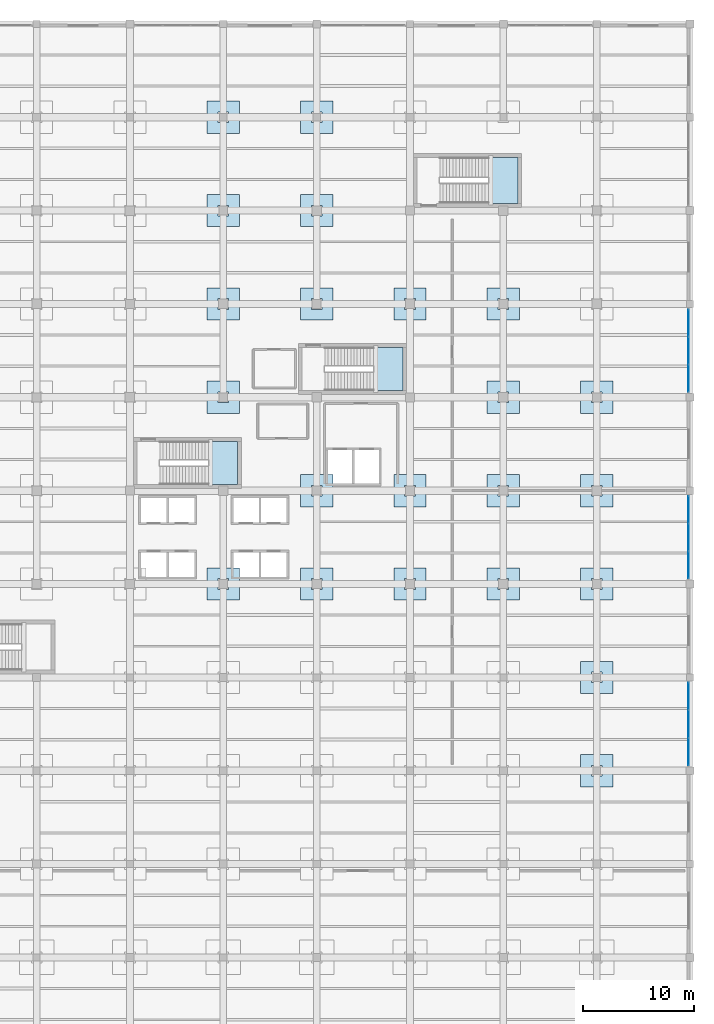
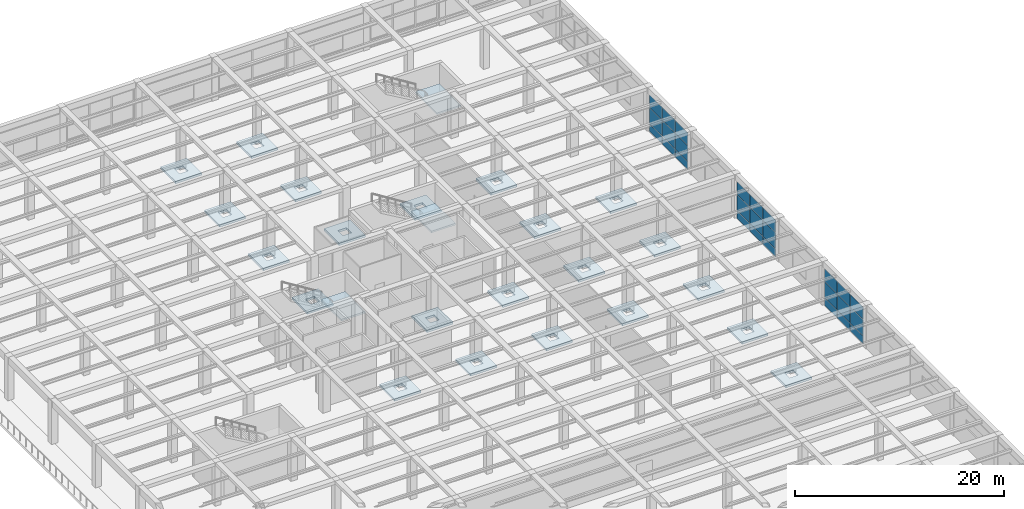
# One storey, part 75 of 95: 27 plates, 25 slabs, 6 elements without a shape of their own.
"""IFC4 building model written with IfcOpenShell, lengths in metres."""

from ifc_helpers import new_model, si_unit, direction, frame, origin, origin_2d, place, context, subcontext, project, spatial, polyline, rectangle, outline, extrude, material, layer, layer_set, type_object, element, aggregate, save


model = new_model("IFC4")

# Units and contexts
model_context = context("Model", 3, precision=1e-05, world=origin(), true_north=direction((0.0, 1.0)))
body_context = subcontext(model_context, "Body", "Model", "MODEL_VIEW")
ifc_project = project(units=[si_unit("LENGTHUNIT", "METRE"), si_unit("AREAUNIT", "SQUARE_METRE"), si_unit("VOLUMEUNIT", "CUBIC_METRE"), si_unit("PLANEANGLEUNIT", "RADIAN"), si_unit("MASSUNIT", "GRAM", prefix="KILO")], contexts=[model_context])

# Site, building, storey
site_placement = place(None, origin())
site = spatial("IfcSite", under=ifc_project, at=site_placement, CompositionType="ELEMENT")
building_placement = place(site_placement, origin())
building = spatial("IfcBuilding", under=site, at=building_placement, Name="Almacenes y Pasaje Nevantli", CompositionType="ELEMENT")
storey_placement = place(building_placement, frame((0.0, 0.0, 11.39990234375)))
storey = spatial("IfcBuildingStorey", under=building, at=storey_placement, Name="L03", CompositionType="ELEMENT", Elevation=11.39990234375)

# Curtain wall, plates
ifc_material_1 = material(Name="Thermally Broken Aluminium and Low-E Glass", Category="aluminium")
curtain_wall_type = type_object("IfcCurtainWallType", Name="CW-UNIT-PODIUM", PredefinedType="USERDEFINED", material=ifc_material_1)
curtain_wall_1_placement = place(storey_placement, origin())
curtain_wall_1 = element("IfcCurtainWall", 1, at=curtain_wall_1_placement, inside=storey, type_object=curtain_wall_type, Name="L03 East Office Wing Curtain Wall Bay 7", ObjectType="UNITIZED CURTAIN WALL", PredefinedType="USERDEFINED")
ifc_material_2 = material(Name="Low-E Double Glazed Insulated Unit", Category="glass")
ifc_layer_1 = layer(ifc_material_2, 0.031982421875)
ifc_layer_set_1 = layer_set([ifc_layer_1], Name="Low-E Double Glazed Insulated Unit")
plate_type = type_object("IfcPlateType", Name="PL-IGU-32", PredefinedType="CURTAIN_PANEL", material=ifc_layer_set_1)
plate_1_placement = place(storey_placement, frame((167.85009765625, 52.11376953125, 0.05517578125), z_axis=(0.0, 0.0, 1.0), x_axis=(0.0, 1.0, 0.0)))
plate_1 = element("IfcPlate", 2, at=plate_1_placement, type_object=plate_type, Name="CW-L03-054 panel 1.1", PredefinedType="CURTAIN_PANEL", context=body_context, shape_type="SweptSolid", body=[
    extrude(rectangle(XDim=2.41748046875, YDim=0.031982421875, at=origin_2d()), origin(), (0.0, 0.0, 1.0), 0.867431640625),
])
plate_2_placement = place(storey_placement, frame((167.85009765625, 52.11376953125, 0.9775390625), z_axis=(0.0, 0.0, 1.0), x_axis=(0.0, 1.0, 0.0)))
plate_2 = element("IfcPlate", 3, at=plate_2_placement, type_object=plate_type, Name="CW-L03-054 panel 1.2", PredefinedType="CURTAIN_PANEL", context=body_context, shape_type="SweptSolid", body=[
    extrude(rectangle(XDim=2.41748046875, YDim=0.031982421875, at=origin_2d()), origin(), (0.0, 0.0, 1.0), 1.844970703125),
])
plate_3_placement = place(storey_placement, frame((167.85009765625, 52.11376953125, 2.87744140625), z_axis=(0.0, 0.0, 1.0), x_axis=(0.0, 1.0, 0.0)))
plate_3 = element("IfcPlate", 4, at=plate_3_placement, type_object=plate_type, Name="CW-L03-054 panel 1.3", PredefinedType="CURTAIN_PANEL", context=body_context, shape_type="SweptSolid", body=[
    extrude(rectangle(XDim=2.41748046875, YDim=0.031982421875, at=origin_2d()), origin(), (0.0, 0.0, 1.0), 1.447509765625),
])
plate_4_placement = place(storey_placement, frame((167.85009765625, 54.60009765625, 0.05517578125), z_axis=(0.0, 0.0, 1.0), x_axis=(0.0, 1.0, 0.0)))
plate_4 = element("IfcPlate", 5, at=plate_4_placement, type_object=plate_type, Name="CW-L03-054 panel 2.1", PredefinedType="CURTAIN_PANEL", context=body_context, shape_type="SweptSolid", body=[
    extrude(rectangle(XDim=2.445068359375, YDim=0.031982421875, at=origin_2d()), origin(), (0.0, 0.0, 1.0), 0.867431640625),
])
plate_5_placement = place(storey_placement, frame((167.85009765625, 54.60009765625, 0.9775390625), z_axis=(0.0, 0.0, 1.0), x_axis=(0.0, 1.0, 0.0)))
plate_5 = element("IfcPlate", 6, at=plate_5_placement, type_object=plate_type, Name="CW-L03-054 panel 2.2", PredefinedType="CURTAIN_PANEL", context=body_context, shape_type="SweptSolid", body=[
    extrude(rectangle(XDim=2.445068359375, YDim=0.031982421875, at=origin_2d()), origin(), (0.0, 0.0, 1.0), 1.844970703125),
])
plate_6_placement = place(storey_placement, frame((167.85009765625, 54.60009765625, 2.87744140625), z_axis=(0.0, 0.0, 1.0), x_axis=(0.0, 1.0, 0.0)))
plate_6 = element("IfcPlate", 7, at=plate_6_placement, type_object=plate_type, Name="CW-L03-054 panel 2.3", PredefinedType="CURTAIN_PANEL", context=body_context, shape_type="SweptSolid", body=[
    extrude(rectangle(XDim=2.445068359375, YDim=0.031982421875, at=origin_2d()), origin(), (0.0, 0.0, 1.0), 1.447509765625),
])
plate_7_placement = place(storey_placement, frame((167.85009765625, 57.086181640625, 0.05517578125), z_axis=(0.0, 0.0, 1.0), x_axis=(0.0, 1.0, 0.0)))
plate_7 = element("IfcPlate", 8, at=plate_7_placement, type_object=plate_type, Name="CW-L03-054 panel 3.1", PredefinedType="CURTAIN_PANEL", context=body_context, shape_type="SweptSolid", body=[
    extrude(rectangle(XDim=2.41748046875, YDim=0.031982421875, at=origin_2d()), origin(), (0.0, 0.0, 1.0), 0.867431640625),
])
plate_8_placement = place(storey_placement, frame((167.85009765625, 57.086181640625, 0.9775390625), z_axis=(0.0, 0.0, 1.0), x_axis=(0.0, 1.0, 0.0)))
plate_8 = element("IfcPlate", 9, at=plate_8_placement, type_object=plate_type, Name="CW-L03-054 panel 3.2", PredefinedType="CURTAIN_PANEL", context=body_context, shape_type="SweptSolid", body=[
    extrude(rectangle(XDim=2.41748046875, YDim=0.031982421875, at=origin_2d()), origin(), (0.0, 0.0, 1.0), 1.844970703125),
])
plate_9_placement = place(storey_placement, frame((167.85009765625, 57.086181640625, 2.87744140625), z_axis=(0.0, 0.0, 1.0), x_axis=(0.0, 1.0, 0.0)))
plate_9 = element("IfcPlate", 10, at=plate_9_placement, type_object=plate_type, Name="CW-L03-054 panel 3.3", PredefinedType="CURTAIN_PANEL", context=body_context, shape_type="SweptSolid", body=[
    extrude(rectangle(XDim=2.41748046875, YDim=0.031982421875, at=origin_2d()), origin(), (0.0, 0.0, 1.0), 1.447509765625),
])
aggregate(curtain_wall_1, [plate_1, plate_2, plate_3, plate_4, plate_5, plate_6, plate_7, plate_8, plate_9])

curtain_wall_2_placement = place(storey_placement, origin())
curtain_wall_2 = element("IfcCurtainWall", 11, at=curtain_wall_2_placement, inside=storey, type_object=curtain_wall_type, Name="L03 East Office Wing Curtain Wall Bay 9", ObjectType="UNITIZED CURTAIN WALL", PredefinedType="USERDEFINED")
plate_10_placement = place(storey_placement, frame((167.85009765625, 68.913818359375, 0.05517578125), z_axis=(0.0, 0.0, 1.0), x_axis=(0.0, 1.0, 0.0)))
plate_10 = element("IfcPlate", 12, at=plate_10_placement, type_object=plate_type, Name="CW-L03-055 panel 1.1", PredefinedType="CURTAIN_PANEL", context=body_context, shape_type="SweptSolid", body=[
    extrude(rectangle(XDim=2.41748046875, YDim=0.031982421875, at=origin_2d()), origin(), (0.0, 0.0, 1.0), 0.867431640625),
])
plate_11_placement = place(storey_placement, frame((167.85009765625, 68.913818359375, 0.9775390625), z_axis=(0.0, 0.0, 1.0), x_axis=(0.0, 1.0, 0.0)))
plate_11 = element("IfcPlate", 13, at=plate_11_placement, type_object=plate_type, Name="CW-L03-055 panel 1.2", PredefinedType="CURTAIN_PANEL", context=body_context, shape_type="SweptSolid", body=[
    extrude(rectangle(XDim=2.41748046875, YDim=0.031982421875, at=origin_2d()), origin(), (0.0, 0.0, 1.0), 1.844970703125),
])
plate_12_placement = place(storey_placement, frame((167.85009765625, 68.913818359375, 2.87744140625), z_axis=(0.0, 0.0, 1.0), x_axis=(0.0, 1.0, 0.0)))
plate_12 = element("IfcPlate", 14, at=plate_12_placement, type_object=plate_type, Name="CW-L03-055 panel 1.3", PredefinedType="CURTAIN_PANEL", context=body_context, shape_type="SweptSolid", body=[
    extrude(rectangle(XDim=2.41748046875, YDim=0.031982421875, at=origin_2d()), origin(), (0.0, 0.0, 1.0), 1.447509765625),
])
plate_13_placement = place(storey_placement, frame((167.85009765625, 71.39990234375, 0.05517578125), z_axis=(0.0, 0.0, 1.0), x_axis=(0.0, 1.0, 0.0)))
plate_13 = element("IfcPlate", 15, at=plate_13_placement, type_object=plate_type, Name="CW-L03-055 panel 2.1", PredefinedType="CURTAIN_PANEL", context=body_context, shape_type="SweptSolid", body=[
    extrude(rectangle(XDim=2.445068359375, YDim=0.031982421875, at=origin_2d()), origin(), (0.0, 0.0, 1.0), 0.867431640625),
])
plate_14_placement = place(storey_placement, frame((167.85009765625, 71.39990234375, 0.9775390625), z_axis=(0.0, 0.0, 1.0), x_axis=(0.0, 1.0, 0.0)))
plate_14 = element("IfcPlate", 16, at=plate_14_placement, type_object=plate_type, Name="CW-L03-055 panel 2.2", PredefinedType="CURTAIN_PANEL", context=body_context, shape_type="SweptSolid", body=[
    extrude(rectangle(XDim=2.445068359375, YDim=0.031982421875, at=origin_2d()), origin(), (0.0, 0.0, 1.0), 1.844970703125),
])
plate_15_placement = place(storey_placement, frame((167.85009765625, 71.39990234375, 2.87744140625), z_axis=(0.0, 0.0, 1.0), x_axis=(0.0, 1.0, 0.0)))
plate_15 = element("IfcPlate", 17, at=plate_15_placement, type_object=plate_type, Name="CW-L03-055 panel 2.3", PredefinedType="CURTAIN_PANEL", context=body_context, shape_type="SweptSolid", body=[
    extrude(rectangle(XDim=2.445068359375, YDim=0.031982421875, at=origin_2d()), origin(), (0.0, 0.0, 1.0), 1.447509765625),
])
plate_16_placement = place(storey_placement, frame((167.85009765625, 73.88623046875, 0.05517578125), z_axis=(0.0, 0.0, 1.0), x_axis=(0.0, 1.0, 0.0)))
plate_16 = element("IfcPlate", 18, at=plate_16_placement, type_object=plate_type, Name="CW-L03-055 panel 3.1", PredefinedType="CURTAIN_PANEL", context=body_context, shape_type="SweptSolid", body=[
    extrude(rectangle(XDim=2.41748046875, YDim=0.031982421875, at=origin_2d()), origin(), (0.0, 0.0, 1.0), 0.867431640625),
])
plate_17_placement = place(storey_placement, frame((167.85009765625, 73.88623046875, 0.9775390625), z_axis=(0.0, 0.0, 1.0), x_axis=(0.0, 1.0, 0.0)))
plate_17 = element("IfcPlate", 19, at=plate_17_placement, type_object=plate_type, Name="CW-L03-055 panel 3.2", PredefinedType="CURTAIN_PANEL", context=body_context, shape_type="SweptSolid", body=[
    extrude(rectangle(XDim=2.41748046875, YDim=0.031982421875, at=origin_2d()), origin(), (0.0, 0.0, 1.0), 1.844970703125),
])
plate_18_placement = place(storey_placement, frame((167.85009765625, 73.88623046875, 2.87744140625), z_axis=(0.0, 0.0, 1.0), x_axis=(0.0, 1.0, 0.0)))
plate_18 = element("IfcPlate", 20, at=plate_18_placement, type_object=plate_type, Name="CW-L03-055 panel 3.3", PredefinedType="CURTAIN_PANEL", context=body_context, shape_type="SweptSolid", body=[
    extrude(rectangle(XDim=2.41748046875, YDim=0.031982421875, at=origin_2d()), origin(), (0.0, 0.0, 1.0), 1.447509765625),
])
aggregate(curtain_wall_2, [plate_10, plate_11, plate_12, plate_13, plate_14, plate_15, plate_16, plate_17, plate_18])

curtain_wall_3_placement = place(storey_placement, origin())
curtain_wall_3 = element("IfcCurtainWall", 21, at=curtain_wall_3_placement, inside=storey, type_object=curtain_wall_type, Name="L03 East Office Wing Curtain Wall Bay 11", ObjectType="UNITIZED CURTAIN WALL", PredefinedType="USERDEFINED")
plate_19_placement = place(storey_placement, frame((167.85009765625, 85.7138671875, 0.05517578125), z_axis=(0.0, 0.0, 1.0), x_axis=(0.0, 1.0, 0.0)))
plate_19 = element("IfcPlate", 22, at=plate_19_placement, type_object=plate_type, Name="CW-L03-056 panel 1.1", PredefinedType="CURTAIN_PANEL", context=body_context, shape_type="SweptSolid", body=[
    extrude(rectangle(XDim=2.41748046875, YDim=0.031982421875, at=origin_2d()), origin(), (0.0, 0.0, 1.0), 0.867431640625),
])
plate_20_placement = place(storey_placement, frame((167.85009765625, 85.7138671875, 0.9775390625), z_axis=(0.0, 0.0, 1.0), x_axis=(0.0, 1.0, 0.0)))
plate_20 = element("IfcPlate", 23, at=plate_20_placement, type_object=plate_type, Name="CW-L03-056 panel 1.2", PredefinedType="CURTAIN_PANEL", context=body_context, shape_type="SweptSolid", body=[
    extrude(rectangle(XDim=2.41748046875, YDim=0.031982421875, at=origin_2d()), origin(), (0.0, 0.0, 1.0), 1.844970703125),
])
plate_21_placement = place(storey_placement, frame((167.85009765625, 85.7138671875, 2.87744140625), z_axis=(0.0, 0.0, 1.0), x_axis=(0.0, 1.0, 0.0)))
plate_21 = element("IfcPlate", 24, at=plate_21_placement, type_object=plate_type, Name="CW-L03-056 panel 1.3", PredefinedType="CURTAIN_PANEL", context=body_context, shape_type="SweptSolid", body=[
    extrude(rectangle(XDim=2.41748046875, YDim=0.031982421875, at=origin_2d()), origin(), (0.0, 0.0, 1.0), 1.447509765625),
])
plate_22_placement = place(storey_placement, frame((167.85009765625, 88.199951171875, 0.05517578125), z_axis=(0.0, 0.0, 1.0), x_axis=(0.0, 1.0, 0.0)))
plate_22 = element("IfcPlate", 25, at=plate_22_placement, type_object=plate_type, Name="CW-L03-056 panel 2.1", PredefinedType="CURTAIN_PANEL", context=body_context, shape_type="SweptSolid", body=[
    extrude(rectangle(XDim=2.445068359375, YDim=0.031982421875, at=origin_2d()), origin(), (0.0, 0.0, 1.0), 0.867431640625),
])
plate_23_placement = place(storey_placement, frame((167.85009765625, 88.199951171875, 0.9775390625), z_axis=(0.0, 0.0, 1.0), x_axis=(0.0, 1.0, 0.0)))
plate_23 = element("IfcPlate", 26, at=plate_23_placement, type_object=plate_type, Name="CW-L03-056 panel 2.2", PredefinedType="CURTAIN_PANEL", context=body_context, shape_type="SweptSolid", body=[
    extrude(rectangle(XDim=2.445068359375, YDim=0.031982421875, at=origin_2d()), origin(), (0.0, 0.0, 1.0), 1.844970703125),
])
plate_24_placement = place(storey_placement, frame((167.85009765625, 88.199951171875, 2.87744140625), z_axis=(0.0, 0.0, 1.0), x_axis=(0.0, 1.0, 0.0)))
plate_24 = element("IfcPlate", 27, at=plate_24_placement, type_object=plate_type, Name="CW-L03-056 panel 2.3", PredefinedType="CURTAIN_PANEL", context=body_context, shape_type="SweptSolid", body=[
    extrude(rectangle(XDim=2.445068359375, YDim=0.031982421875, at=origin_2d()), origin(), (0.0, 0.0, 1.0), 1.447509765625),
])
plate_25_placement = place(storey_placement, frame((167.85009765625, 90.686279296875, 0.05517578125), z_axis=(0.0, 0.0, 1.0), x_axis=(0.0, 1.0, 0.0)))
plate_25 = element("IfcPlate", 28, at=plate_25_placement, type_object=plate_type, Name="CW-L03-056 panel 3.1", PredefinedType="CURTAIN_PANEL", context=body_context, shape_type="SweptSolid", body=[
    extrude(rectangle(XDim=2.41748046875, YDim=0.031982421875, at=origin_2d()), origin(), (0.0, 0.0, 1.0), 0.867431640625),
])
plate_26_placement = place(storey_placement, frame((167.85009765625, 90.686279296875, 0.9775390625), z_axis=(0.0, 0.0, 1.0), x_axis=(0.0, 1.0, 0.0)))
plate_26 = element("IfcPlate", 29, at=plate_26_placement, type_object=plate_type, Name="CW-L03-056 panel 3.2", PredefinedType="CURTAIN_PANEL", context=body_context, shape_type="SweptSolid", body=[
    extrude(rectangle(XDim=2.41748046875, YDim=0.031982421875, at=origin_2d()), origin(), (0.0, 0.0, 1.0), 1.844970703125),
])
plate_27_placement = place(storey_placement, frame((167.85009765625, 90.686279296875, 2.87744140625), z_axis=(0.0, 0.0, 1.0), x_axis=(0.0, 1.0, 0.0)))
plate_27 = element("IfcPlate", 30, at=plate_27_placement, type_object=plate_type, Name="CW-L03-056 panel 3.3", PredefinedType="CURTAIN_PANEL", context=body_context, shape_type="SweptSolid", body=[
    extrude(rectangle(XDim=2.41748046875, YDim=0.031982421875, at=origin_2d()), origin(), (0.0, 0.0, 1.0), 1.447509765625),
])
aggregate(curtain_wall_3, [plate_19, plate_20, plate_21, plate_22, plate_23, plate_24, plate_25, plate_26, plate_27])

# Slabs
ifc_material_3 = material(Name="Concrete C35/45", Category="concrete")
ifc_layer_2 = layer(ifc_material_3, 0.25)
ifc_layer_set_2 = layer_set([ifc_layer_2], Name="Concrete C35/45")
slab_type_1 = type_object("IfcSlabType", Name="SLB-DP-250", PredefinedType="USERDEFINED", material=ifc_layer_set_2)
slab_1_placement = place(storey_placement, frame((0.0, 0.0, -0.5498046875)))
element("IfcSlab", 31, at=slab_1_placement, inside=storey, type_object=slab_type_1, Name="L03 Punching-Shear Drop Panel DP-02 #708", ObjectType="DROP PANEL", PredefinedType="USERDEFINED", context=body_context, shape_type="SweptSolid", body=[
    extrude(outline(polyline([(124.550048828125, 65.75), (127.449951171875, 65.75), (127.449951171875, 68.64990234375), (124.550048828125, 68.64990234375), (124.550048828125, 65.75)]), holes=[polyline([(125.52001953125, 66.719970703125), (126.47998046875, 66.719970703125), (126.47998046875, 67.679931640625), (125.52001953125, 67.679931640625), (125.52001953125, 66.719970703125)])]), origin(), (0.0, 0.0, 1.0), 0.25),
])
slab_2_placement = place(storey_placement, frame((0.0, 0.0, -0.5498046875)))
element("IfcSlab", 32, at=slab_2_placement, inside=storey, type_object=slab_type_1, Name="L03 Punching-Shear Drop Panel DP-02 #709", ObjectType="DROP PANEL", PredefinedType="USERDEFINED", context=body_context, shape_type="SweptSolid", body=[
    extrude(outline(polyline([(124.550048828125, 82.550048828125), (127.449951171875, 82.550048828125), (127.449951171875, 85.449951171875), (124.550048828125, 85.449951171875), (124.550048828125, 82.550048828125)]), holes=[polyline([(125.52001953125, 83.52001953125), (126.47998046875, 83.52001953125), (126.47998046875, 84.47998046875), (125.52001953125, 84.47998046875), (125.52001953125, 83.52001953125)])]), origin(), (0.0, 0.0, 1.0), 0.25),
])
slab_3_placement = place(storey_placement, frame((0.0, 0.0, -0.5498046875)))
element("IfcSlab", 33, at=slab_3_placement, inside=storey, type_object=slab_type_1, Name="L03 Punching-Shear Drop Panel DP-02 #710", ObjectType="DROP PANEL", PredefinedType="USERDEFINED", context=body_context, shape_type="SweptSolid", body=[
    extrude(outline(polyline([(124.550048828125, 90.949951171875), (127.449951171875, 90.949951171875), (127.449951171875, 93.85009765625), (124.550048828125, 93.85009765625), (124.550048828125, 90.949951171875)]), holes=[polyline([(125.52001953125, 91.919921875), (126.47998046875, 91.919921875), (126.47998046875, 92.8798828125), (125.52001953125, 92.8798828125), (125.52001953125, 91.919921875)])]), origin(), (0.0, 0.0, 1.0), 0.25),
])
slab_4_placement = place(storey_placement, frame((0.0, 0.0, -0.5498046875)))
element("IfcSlab", 34, at=slab_4_placement, inside=storey, type_object=slab_type_1, Name="L03 Punching-Shear Drop Panel DP-02 #711", ObjectType="DROP PANEL", PredefinedType="USERDEFINED", context=body_context, shape_type="SweptSolid", body=[
    extrude(outline(polyline([(124.550048828125, 99.35009765625), (127.449951171875, 99.35009765625), (127.449951171875, 102.25), (124.550048828125, 102.25), (124.550048828125, 99.35009765625)]), holes=[polyline([(125.52001953125, 100.320068359375), (126.47998046875, 100.320068359375), (126.47998046875, 101.280029296875), (125.52001953125, 101.280029296875), (125.52001953125, 100.320068359375)])]), origin(), (0.0, 0.0, 1.0), 0.25),
])
slab_5_placement = place(storey_placement, frame((0.0, 0.0, -0.5498046875)))
element("IfcSlab", 35, at=slab_5_placement, inside=storey, type_object=slab_type_1, Name="L03 Punching-Shear Drop Panel DP-02 #712", ObjectType="DROP PANEL", PredefinedType="USERDEFINED", context=body_context, shape_type="SweptSolid", body=[
    extrude(outline(polyline([(124.550048828125, 107.75), (127.449951171875, 107.75), (127.449951171875, 110.64990234375), (124.550048828125, 110.64990234375), (124.550048828125, 107.75)]), holes=[polyline([(125.52001953125, 108.719970703125), (126.47998046875, 108.719970703125), (126.47998046875, 109.679931640625), (125.52001953125, 109.679931640625), (125.52001953125, 108.719970703125)])]), origin(), (0.0, 0.0, 1.0), 0.25),
])
slab_6_placement = place(storey_placement, frame((0.0, 0.0, -0.5498046875)))
element("IfcSlab", 36, at=slab_6_placement, inside=storey, type_object=slab_type_1, Name="L03 Punching-Shear Drop Panel DP-02 #717", ObjectType="DROP PANEL", PredefinedType="USERDEFINED", context=body_context, shape_type="SweptSolid", body=[
    extrude(outline(polyline([(132.949951171875, 65.75), (135.85009765625, 65.75), (135.85009765625, 68.64990234375), (132.949951171875, 68.64990234375), (132.949951171875, 65.75)]), holes=[polyline([(133.919921875, 66.719970703125), (134.8798828125, 66.719970703125), (134.8798828125, 67.679931640625), (133.919921875, 67.679931640625), (133.919921875, 66.719970703125)])]), origin(), (0.0, 0.0, 1.0), 0.25),
])
slab_7_placement = place(storey_placement, frame((0.0, 0.0, -0.5498046875)))
element("IfcSlab", 37, at=slab_7_placement, inside=storey, type_object=slab_type_1, Name="L03 Punching-Shear Drop Panel DP-02 #718", ObjectType="DROP PANEL", PredefinedType="USERDEFINED", context=body_context, shape_type="SweptSolid", body=[
    extrude(outline(polyline([(132.949951171875, 74.14990234375), (135.85009765625, 74.14990234375), (135.85009765625, 77.050048828125), (132.949951171875, 77.050048828125), (132.949951171875, 74.14990234375)]), holes=[polyline([(133.919921875, 75.1201171875), (134.8798828125, 75.1201171875), (134.8798828125, 76.080078125), (133.919921875, 76.080078125), (133.919921875, 75.1201171875)])]), origin(), (0.0, 0.0, 1.0), 0.25),
])
slab_8_placement = place(storey_placement, frame((0.0, 0.0, -0.5498046875)))
element("IfcSlab", 38, at=slab_8_placement, inside=storey, type_object=slab_type_1, Name="L03 Punching-Shear Drop Panel DP-02 #719", ObjectType="DROP PANEL", PredefinedType="USERDEFINED", context=body_context, shape_type="SweptSolid", body=[
    extrude(outline(polyline([(132.949951171875, 90.949951171875), (135.85009765625, 90.949951171875), (135.85009765625, 93.85009765625), (132.949951171875, 93.85009765625), (132.949951171875, 90.949951171875)]), holes=[polyline([(133.919921875, 91.919921875), (134.8798828125, 91.919921875), (134.8798828125, 92.8798828125), (133.919921875, 92.8798828125), (133.919921875, 91.919921875)])]), origin(), (0.0, 0.0, 1.0), 0.25),
])
slab_9_placement = place(storey_placement, frame((0.0, 0.0, -0.5498046875)))
element("IfcSlab", 39, at=slab_9_placement, inside=storey, type_object=slab_type_1, Name="L03 Punching-Shear Drop Panel DP-02 #720", ObjectType="DROP PANEL", PredefinedType="USERDEFINED", context=body_context, shape_type="SweptSolid", body=[
    extrude(outline(polyline([(132.949951171875, 99.35009765625), (135.85009765625, 99.35009765625), (135.85009765625, 102.25), (132.949951171875, 102.25), (132.949951171875, 99.35009765625)]), holes=[polyline([(133.919921875, 100.320068359375), (134.8798828125, 100.320068359375), (134.8798828125, 101.280029296875), (133.919921875, 101.280029296875), (133.919921875, 100.320068359375)])]), origin(), (0.0, 0.0, 1.0), 0.25),
])
slab_10_placement = place(storey_placement, frame((0.0, 0.0, -0.5498046875)))
element("IfcSlab", 40, at=slab_10_placement, inside=storey, type_object=slab_type_1, Name="L03 Punching-Shear Drop Panel DP-02 #721", ObjectType="DROP PANEL", PredefinedType="USERDEFINED", context=body_context, shape_type="SweptSolid", body=[
    extrude(outline(polyline([(132.949951171875, 107.75), (135.85009765625, 107.75), (135.85009765625, 110.64990234375), (132.949951171875, 110.64990234375), (132.949951171875, 107.75)]), holes=[polyline([(133.919921875, 108.719970703125), (134.8798828125, 108.719970703125), (134.8798828125, 109.679931640625), (133.919921875, 109.679931640625), (133.919921875, 108.719970703125)])]), origin(), (0.0, 0.0, 1.0), 0.25),
])
slab_11_placement = place(storey_placement, frame((0.0, 0.0, -0.5498046875)))
element("IfcSlab", 41, at=slab_11_placement, inside=storey, type_object=slab_type_1, Name="L03 Punching-Shear Drop Panel DP-02 #726", ObjectType="DROP PANEL", PredefinedType="USERDEFINED", context=body_context, shape_type="SweptSolid", body=[
    extrude(outline(polyline([(141.35009765625, 65.75), (144.25, 65.75), (144.25, 68.64990234375), (141.35009765625, 68.64990234375), (141.35009765625, 65.75)]), holes=[polyline([(142.320068359375, 66.719970703125), (143.280029296875, 66.719970703125), (143.280029296875, 67.679931640625), (142.320068359375, 67.679931640625), (142.320068359375, 66.719970703125)])]), origin(), (0.0, 0.0, 1.0), 0.25),
])
slab_12_placement = place(storey_placement, frame((0.0, 0.0, -0.5498046875)))
element("IfcSlab", 42, at=slab_12_placement, inside=storey, type_object=slab_type_1, Name="L03 Punching-Shear Drop Panel DP-02 #727", ObjectType="DROP PANEL", PredefinedType="USERDEFINED", context=body_context, shape_type="SweptSolid", body=[
    extrude(outline(polyline([(141.35009765625, 74.14990234375), (144.25, 74.14990234375), (144.25, 77.050048828125), (141.35009765625, 77.050048828125), (141.35009765625, 74.14990234375)]), holes=[polyline([(142.320068359375, 75.1201171875), (143.280029296875, 75.1201171875), (143.280029296875, 76.080078125), (142.320068359375, 76.080078125), (142.320068359375, 75.1201171875)])]), origin(), (0.0, 0.0, 1.0), 0.25),
])
slab_13_placement = place(storey_placement, frame((0.0, 0.0, -0.5498046875)))
element("IfcSlab", 43, at=slab_13_placement, inside=storey, type_object=slab_type_1, Name="L03 Punching-Shear Drop Panel DP-02 #728", ObjectType="DROP PANEL", PredefinedType="USERDEFINED", context=body_context, shape_type="SweptSolid", body=[
    extrude(outline(polyline([(141.35009765625, 90.949951171875), (144.25, 90.949951171875), (144.25, 93.85009765625), (141.35009765625, 93.85009765625), (141.35009765625, 90.949951171875)]), holes=[polyline([(142.320068359375, 91.919921875), (143.280029296875, 91.919921875), (143.280029296875, 92.8798828125), (142.320068359375, 92.8798828125), (142.320068359375, 91.919921875)])]), origin(), (0.0, 0.0, 1.0), 0.25),
])
slab_14_placement = place(storey_placement, frame((0.0, 0.0, -0.5498046875)))
element("IfcSlab", 44, at=slab_14_placement, inside=storey, type_object=slab_type_1, Name="L03 Punching-Shear Drop Panel DP-02 #734", ObjectType="DROP PANEL", PredefinedType="USERDEFINED", context=body_context, shape_type="SweptSolid", body=[
    extrude(outline(polyline([(149.75, 65.75), (152.64990234375, 65.75), (152.64990234375, 68.64990234375), (149.75, 68.64990234375), (149.75, 65.75)]), holes=[polyline([(150.719970703125, 66.719970703125), (151.679931640625, 66.719970703125), (151.679931640625, 67.679931640625), (150.719970703125, 67.679931640625), (150.719970703125, 66.719970703125)])]), origin(), (0.0, 0.0, 1.0), 0.25),
])
slab_15_placement = place(storey_placement, frame((0.0, 0.0, -0.5498046875)))
element("IfcSlab", 45, at=slab_15_placement, inside=storey, type_object=slab_type_1, Name="L03 Punching-Shear Drop Panel DP-02 #735", ObjectType="DROP PANEL", PredefinedType="USERDEFINED", context=body_context, shape_type="SweptSolid", body=[
    extrude(outline(polyline([(149.75, 74.14990234375), (152.64990234375, 74.14990234375), (152.64990234375, 77.050048828125), (149.75, 77.050048828125), (149.75, 74.14990234375)]), holes=[polyline([(150.719970703125, 75.1201171875), (151.679931640625, 75.1201171875), (151.679931640625, 76.080078125), (150.719970703125, 76.080078125), (150.719970703125, 75.1201171875)])]), origin(), (0.0, 0.0, 1.0), 0.25),
])
slab_16_placement = place(storey_placement, frame((0.0, 0.0, -0.5498046875)))
element("IfcSlab", 46, at=slab_16_placement, inside=storey, type_object=slab_type_1, Name="L03 Punching-Shear Drop Panel DP-02 #736", ObjectType="DROP PANEL", PredefinedType="USERDEFINED", context=body_context, shape_type="SweptSolid", body=[
    extrude(outline(polyline([(149.75, 82.550048828125), (152.64990234375, 82.550048828125), (152.64990234375, 85.449951171875), (149.75, 85.449951171875), (149.75, 82.550048828125)]), holes=[polyline([(150.719970703125, 83.52001953125), (151.679931640625, 83.52001953125), (151.679931640625, 84.47998046875), (150.719970703125, 84.47998046875), (150.719970703125, 83.52001953125)])]), origin(), (0.0, 0.0, 1.0), 0.25),
])
slab_17_placement = place(storey_placement, frame((0.0, 0.0, -0.5498046875)))
element("IfcSlab", 47, at=slab_17_placement, inside=storey, type_object=slab_type_1, Name="L03 Punching-Shear Drop Panel DP-02 #737", ObjectType="DROP PANEL", PredefinedType="USERDEFINED", context=body_context, shape_type="SweptSolid", body=[
    extrude(outline(polyline([(149.75, 90.949951171875), (152.64990234375, 90.949951171875), (152.64990234375, 93.85009765625), (149.75, 93.85009765625), (149.75, 90.949951171875)]), holes=[polyline([(150.719970703125, 91.919921875), (151.679931640625, 91.919921875), (151.679931640625, 92.8798828125), (150.719970703125, 92.8798828125), (150.719970703125, 91.919921875)])]), origin(), (0.0, 0.0, 1.0), 0.25),
])
slab_18_placement = place(storey_placement, frame((0.0, 0.0, -0.5498046875)))
element("IfcSlab", 48, at=slab_18_placement, inside=storey, type_object=slab_type_1, Name="L03 Punching-Shear Drop Panel DP-02 #741", ObjectType="DROP PANEL", PredefinedType="USERDEFINED", context=body_context, shape_type="SweptSolid", body=[
    extrude(outline(polyline([(158.14990234375, 48.949951171875), (161.050048828125, 48.949951171875), (161.050048828125, 51.85009765625), (158.14990234375, 51.85009765625), (158.14990234375, 48.949951171875)]), holes=[polyline([(159.1201171875, 49.919921875), (160.080078125, 49.919921875), (160.080078125, 50.8798828125), (159.1201171875, 50.8798828125), (159.1201171875, 49.919921875)])]), origin(), (0.0, 0.0, 1.0), 0.25),
])
slab_19_placement = place(storey_placement, frame((0.0, 0.0, -0.5498046875)))
element("IfcSlab", 49, at=slab_19_placement, inside=storey, type_object=slab_type_1, Name="L03 Punching-Shear Drop Panel DP-02 #742", ObjectType="DROP PANEL", PredefinedType="USERDEFINED", context=body_context, shape_type="SweptSolid", body=[
    extrude(outline(polyline([(158.14990234375, 57.35009765625), (161.050048828125, 57.35009765625), (161.050048828125, 60.25), (158.14990234375, 60.25), (158.14990234375, 57.35009765625)]), holes=[polyline([(159.1201171875, 58.320068359375), (160.080078125, 58.320068359375), (160.080078125, 59.280029296875), (159.1201171875, 59.280029296875), (159.1201171875, 58.320068359375)])]), origin(), (0.0, 0.0, 1.0), 0.25),
])
slab_20_placement = place(storey_placement, frame((0.0, 0.0, -0.5498046875)))
element("IfcSlab", 50, at=slab_20_placement, inside=storey, type_object=slab_type_1, Name="L03 Punching-Shear Drop Panel DP-02 #743", ObjectType="DROP PANEL", PredefinedType="USERDEFINED", context=body_context, shape_type="SweptSolid", body=[
    extrude(outline(polyline([(158.14990234375, 65.75), (161.050048828125, 65.75), (161.050048828125, 68.64990234375), (158.14990234375, 68.64990234375), (158.14990234375, 65.75)]), holes=[polyline([(159.1201171875, 66.719970703125), (160.080078125, 66.719970703125), (160.080078125, 67.679931640625), (159.1201171875, 67.679931640625), (159.1201171875, 66.719970703125)])]), origin(), (0.0, 0.0, 1.0), 0.25),
])
slab_21_placement = place(storey_placement, frame((0.0, 0.0, -0.5498046875)))
element("IfcSlab", 51, at=slab_21_placement, inside=storey, type_object=slab_type_1, Name="L03 Punching-Shear Drop Panel DP-02 #744", ObjectType="DROP PANEL", PredefinedType="USERDEFINED", context=body_context, shape_type="SweptSolid", body=[
    extrude(outline(polyline([(158.14990234375, 74.14990234375), (161.050048828125, 74.14990234375), (161.050048828125, 77.050048828125), (158.14990234375, 77.050048828125), (158.14990234375, 74.14990234375)]), holes=[polyline([(159.1201171875, 75.1201171875), (160.080078125, 75.1201171875), (160.080078125, 76.080078125), (159.1201171875, 76.080078125), (159.1201171875, 75.1201171875)])]), origin(), (0.0, 0.0, 1.0), 0.25),
])
slab_22_placement = place(storey_placement, frame((0.0, 0.0, -0.5498046875)))
element("IfcSlab", 52, at=slab_22_placement, inside=storey, type_object=slab_type_1, Name="L03 Punching-Shear Drop Panel DP-02 #745", ObjectType="DROP PANEL", PredefinedType="USERDEFINED", context=body_context, shape_type="SweptSolid", body=[
    extrude(outline(polyline([(158.14990234375, 82.550048828125), (161.050048828125, 82.550048828125), (161.050048828125, 85.449951171875), (158.14990234375, 85.449951171875), (158.14990234375, 82.550048828125)]), holes=[polyline([(159.1201171875, 83.52001953125), (160.080078125, 83.52001953125), (160.080078125, 84.47998046875), (159.1201171875, 84.47998046875), (159.1201171875, 83.52001953125)])]), origin(), (0.0, 0.0, 1.0), 0.25),
])

# Stair, slab
ifc_material_4 = material(Name="Concrete C35/45", Category="concrete")
stair_type_1 = type_object("IfcStairType", Name="STR-CORE-1720", PredefinedType="HALF_TURN_STAIR", material=ifc_material_4)
stair_1_placement = place(storey_placement, origin())
stair_1 = element("IfcStair", 53, at=stair_1_placement, inside=storey, type_object=stair_type_1, Name="L03 Staircase ST-01", PredefinedType="HALF_TURN_STAIR")
ifc_material_5 = material(Name="Concrete C35/45", Category="concrete")
ifc_layer_3 = layer(ifc_material_5, 0.199951171875)
ifc_layer_set_3 = layer_set([ifc_layer_3], Name="Concrete C35/45")
slab_type_2 = type_object("IfcSlabType", Name="SLB-LAND-200", PredefinedType="LANDING", material=ifc_layer_set_3)
slab_23_placement = place(storey_placement, frame((0.0, 0.0, 2.5)))
slab_23 = element("IfcSlab", 54, at=slab_23_placement, type_object=slab_type_2, Name="ST-01-L03 landing 1", PredefinedType="LANDING", context=body_context, shape_type="SweptSolid", body=[
    extrude(outline(polyline([(124.635009765625, 76.14990234375), (127.300048828125, 76.14990234375), (127.300048828125, 80.0400390625), (124.635009765625, 80.0400390625), (124.635009765625, 76.14990234375)])), origin(), (0.0, 0.0, 1.0), 0.2001953125),
])
aggregate(stair_1, [slab_23])

stair_2_placement = place(storey_placement, origin())
stair_2 = element("IfcStair", 55, at=stair_2_placement, inside=storey, type_object=stair_type_1, Name="L03 Staircase ST-02", PredefinedType="HALF_TURN_STAIR")
slab_24_placement = place(storey_placement, frame((0.0, 0.0, 2.5)))
slab_24 = element("IfcSlab", 56, at=slab_24_placement, type_object=slab_type_2, Name="ST-02-L03 landing 1", PredefinedType="LANDING", context=body_context, shape_type="SweptSolid", body=[
    extrude(outline(polyline([(139.485107421875, 84.60009765625), (142.14990234375, 84.60009765625), (142.14990234375, 88.489990234375), (139.485107421875, 88.489990234375), (139.485107421875, 84.60009765625)])), origin(), (0.0, 0.0, 1.0), 0.2001953125),
])
aggregate(stair_2, [slab_24])

ifc_material_6 = material(Name="Concrete C35/45", Category="concrete")
stair_type_2 = type_object("IfcStairType", Name="STR-CORE-1850", PredefinedType="HALF_TURN_STAIR", material=ifc_material_6)
stair_3_placement = place(storey_placement, origin())
stair_3 = element("IfcStair", 57, at=stair_3_placement, inside=storey, type_object=stair_type_2, Name="L03 Staircase ST-07", PredefinedType="HALF_TURN_STAIR")
slab_25_placement = place(storey_placement, frame((0.0, 0.0, 2.5)))
slab_25 = element("IfcSlab", 58, at=slab_25_placement, type_object=slab_type_2, Name="ST-07-L03 landing 1", PredefinedType="LANDING", context=body_context, shape_type="SweptSolid", body=[
    extrude(outline(polyline([(149.8349609375, 101.449951171875), (152.5, 101.449951171875), (152.5, 105.60009765625), (149.8349609375, 105.60009765625), (149.8349609375, 101.449951171875)])), origin(), (0.0, 0.0, 1.0), 0.2001953125),
])
aggregate(stair_3, [slab_25])

save(model, "model.ifc")
